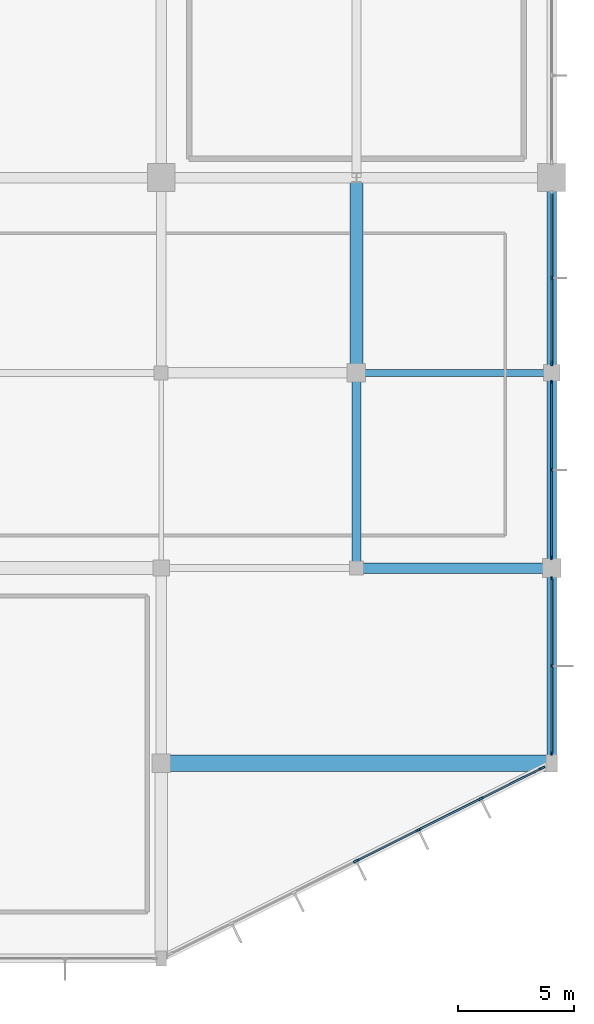
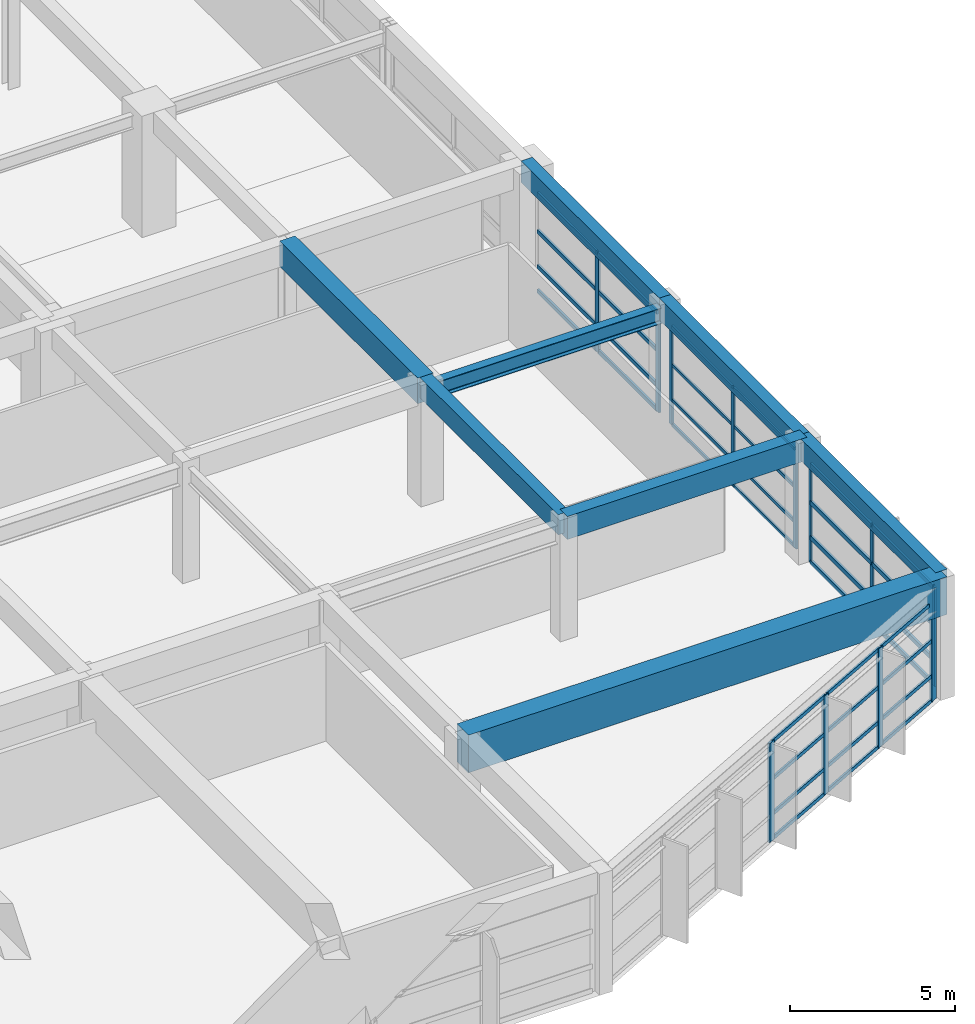
# One storey, part 35 of 65: 48 members, 8 beams, 4 elements without a shape of their own.
"""IFC4 building model written with IfcOpenShell, lengths in metres."""

from ifc_helpers import new_model, si_unit, direction, frame, origin, origin_2d, place, context, subcontext, project, spatial, rectangle, i_section, extrude, material, material_profile, profile_set, type_object, element, aggregate, save


model = new_model("IFC4")

# Units and contexts
model_context = context("Model", 3, precision=1e-05, world=origin(), true_north=direction((0.0, 1.0)))
body_context = subcontext(model_context, "Body", "Model", "MODEL_VIEW")
ifc_project = project(units=[si_unit("LENGTHUNIT", "METRE"), si_unit("AREAUNIT", "SQUARE_METRE"), si_unit("VOLUMEUNIT", "CUBIC_METRE"), si_unit("PLANEANGLEUNIT", "RADIAN"), si_unit("MASSUNIT", "GRAM", prefix="KILO")], contexts=[model_context])

# Site, building, storey
site_placement = place(None, origin())
site = spatial("IfcSite", under=ifc_project, at=site_placement, CompositionType="ELEMENT")
building_placement = place(site_placement, origin())
building = spatial("IfcBuilding", under=site, at=building_placement, Name="Xuanlan Plaza Opera House", CompositionType="ELEMENT")
storey_placement = place(building_placement, frame((0.0, 0.0, 5.39990234375)))
storey = spatial("IfcBuildingStorey", under=building, at=storey_placement, Name="L01", CompositionType="ELEMENT", Elevation=5.39990234375)

# Curtain wall, members
ifc_material_1 = material(Name="Anodised Aluminium 6063-T6 and Low-E Glass", Category="aluminium")
curtain_wall_type_1 = type_object("IfcCurtainWallType", Name="ENV-CW-CW-01", PredefinedType="USERDEFINED", material=ifc_material_1)
curtain_wall_1_placement = place(storey_placement, origin())
curtain_wall_1 = element("IfcCurtainWall", 1, at=curtain_wall_1_placement, inside=storey, type_object=curtain_wall_type_1, Name="Unitised Curtain Wall L01-018", ObjectType="UNITISED CURTAIN WALL", PredefinedType="USERDEFINED")
ifc_material_2 = material(Name="Anodised Aluminium 6063-T6", Category="aluminium")
ifc_material_profile_1 = material_profile(ifc_material_2, rectangle(XDim=0.06494140625, YDim=0.159912109375, at=origin_2d()), Name="ALU-M 65x160")
ifc_profile_set_1 = profile_set([ifc_material_profile_1], Name="Anodised Aluminium 6063-T6")
member_type_1 = type_object("IfcMemberType", Name="ENV-CWM-01", PredefinedType="MULLION", material=ifc_profile_set_1)
member_1_placement = place(storey_placement, frame((168.0, 8.827392578125, 0.0), z_axis=(0.0, 0.0, 1.0), x_axis=(-1.0, 0.0, 0.0)))
member_1 = element("IfcMember", 2, at=member_1_placement, type_object=member_type_1, Name="CW-01 mullion 1", PredefinedType="MULLION", context=body_context, shape_type="SweptSolid", body=[
    extrude(rectangle(XDim=0.06494140625, YDim=0.159912109375, at=origin_2d()), origin(), (0.0, 0.0, 1.0), 3.68017578125),
])
member_2_placement = place(storey_placement, frame((168.0, 12.58740234375, 0.0), z_axis=(0.0, 0.0, 1.0), x_axis=(-1.0, 0.0, 0.0)))
member_2 = element("IfcMember", 3, at=member_2_placement, type_object=member_type_1, Name="CW-01 mullion 2", PredefinedType="MULLION", context=body_context, shape_type="SweptSolid", body=[
    extrude(rectangle(XDim=0.06494140625, YDim=0.159912109375, at=origin_2d()), origin(), (0.0, 0.0, 1.0), 3.68017578125),
])
member_3_placement = place(storey_placement, frame((168.0, 16.347412109375, 0.0), z_axis=(0.0, 0.0, 1.0), x_axis=(-1.0, 0.0, 0.0)))
member_3 = element("IfcMember", 4, at=member_3_placement, type_object=member_type_1, Name="CW-01 mullion 3", PredefinedType="MULLION", context=body_context, shape_type="SweptSolid", body=[
    extrude(rectangle(XDim=0.06494140625, YDim=0.159912109375, at=origin_2d()), origin(), (0.0, 0.0, 1.0), 3.68017578125),
])

curtain_wall_type_2 = type_object("IfcCurtainWallType", Name="ENV-CW-CW-02", PredefinedType="USERDEFINED", material=ifc_material_1)
curtain_wall_2_placement = place(storey_placement, origin())
curtain_wall_2 = element("IfcCurtainWall", 5, at=curtain_wall_2_placement, inside=storey, type_object=curtain_wall_type_2, Name="Unitised Curtain Wall L01-019", ObjectType="UNITISED CURTAIN WALL", PredefinedType="USERDEFINED")
ifc_material_profile_2 = material_profile(ifc_material_2, rectangle(XDim=0.070068359375, YDim=0.179931640625, at=origin_2d()), Name="ALU-M 70x180")
ifc_profile_set_2 = profile_set([ifc_material_profile_2], Name="Anodised Aluminium 6063-T6")
member_type_2 = type_object("IfcMemberType", Name="ENV-CWM-02", PredefinedType="MULLION", material=ifc_profile_set_2)
member_4_placement = place(storey_placement, frame((168.0, 17.2548828125, 0.0), z_axis=(0.0, 0.0, 1.0), x_axis=(-1.0, 0.0, 0.0)))
member_4 = element("IfcMember", 6, at=member_4_placement, type_object=member_type_2, Name="CW-02 mullion 1", PredefinedType="MULLION", context=body_context, shape_type="SweptSolid", body=[
    extrude(rectangle(XDim=0.070068359375, YDim=0.179931640625, at=origin_2d()), origin(), (0.0, 0.0, 1.0), 3.68017578125),
])
member_5_placement = place(storey_placement, frame((168.0, 21.02490234375, 0.0), z_axis=(0.0, 0.0, 1.0), x_axis=(-1.0, 0.0, 0.0)))
member_5 = element("IfcMember", 7, at=member_5_placement, type_object=member_type_2, Name="CW-02 mullion 2", PredefinedType="MULLION", context=body_context, shape_type="SweptSolid", body=[
    extrude(rectangle(XDim=0.070068359375, YDim=0.179931640625, at=origin_2d()), origin(), (0.0, 0.0, 1.0), 3.68017578125),
])
member_6_placement = place(storey_placement, frame((168.0, 24.794921875, 0.0), z_axis=(0.0, 0.0, 1.0), x_axis=(-1.0, 0.0, 0.0)))
member_6 = element("IfcMember", 8, at=member_6_placement, type_object=member_type_2, Name="CW-02 mullion 3", PredefinedType="MULLION", context=body_context, shape_type="SweptSolid", body=[
    extrude(rectangle(XDim=0.070068359375, YDim=0.179931640625, at=origin_2d()), origin(), (0.0, 0.0, 1.0), 3.68017578125),
])

curtain_wall_type_3 = type_object("IfcCurtainWallType", Name="ENV-CW-CW-03", PredefinedType="USERDEFINED", material=ifc_material_1)
curtain_wall_3_placement = place(storey_placement, origin())
curtain_wall_3 = element("IfcCurtainWall", 9, at=curtain_wall_3_placement, inside=storey, type_object=curtain_wall_type_3, Name="Unitised Curtain Wall L01-020", ObjectType="UNITISED CURTAIN WALL", PredefinedType="USERDEFINED")
ifc_material_profile_3 = material_profile(ifc_material_2, rectangle(XDim=0.074951171875, YDim=0.199951171875, at=origin_2d()), Name="ALU-M 75x200")
ifc_profile_set_3 = profile_set([ifc_material_profile_3], Name="Anodised Aluminium 6063-T6")
member_type_3 = type_object("IfcMemberType", Name="ENV-CWM-03", PredefinedType="MULLION", material=ifc_profile_set_3)
member_7_placement = place(storey_placement, frame((168.0, 25.607421875, 0.0), z_axis=(0.0, 0.0, 1.0), x_axis=(-1.0, 0.0, 0.0)))
member_7 = element("IfcMember", 10, at=member_7_placement, type_object=member_type_3, Name="CW-03 mullion 1", PredefinedType="MULLION", context=body_context, shape_type="SweptSolid", body=[
    extrude(rectangle(XDim=0.074951171875, YDim=0.199951171875, at=origin_2d()), origin(), (0.0, 0.0, 1.0), 3.68017578125),
])
member_8_placement = place(storey_placement, frame((168.0, 29.27490234375, 0.0), z_axis=(0.0, 0.0, 1.0), x_axis=(-1.0, 0.0, 0.0)))
member_8 = element("IfcMember", 11, at=member_8_placement, type_object=member_type_3, Name="CW-03 mullion 2", PredefinedType="MULLION", context=body_context, shape_type="SweptSolid", body=[
    extrude(rectangle(XDim=0.074951171875, YDim=0.199951171875, at=origin_2d()), origin(), (0.0, 0.0, 1.0), 3.68017578125),
])

curtain_wall_type_4 = type_object("IfcCurtainWallType", Name="ENV-CW-CW-04", PredefinedType="USERDEFINED", material=ifc_material_1)
curtain_wall_4_placement = place(storey_placement, origin())
curtain_wall_4 = element("IfcCurtainWall", 12, at=curtain_wall_4_placement, inside=storey, type_object=curtain_wall_type_4, Name="Unitised Curtain Wall L01-017", ObjectType="UNITISED CURTAIN WALL", PredefinedType="USERDEFINED")
ifc_material_profile_4 = material_profile(ifc_material_2, rectangle(XDim=0.090087890625, YDim=0.25, at=origin_2d()), Name="ALU-M 90x250")
ifc_profile_set_4 = profile_set([ifc_material_profile_4], Name="Anodised Aluminium 6063-T6")
member_type_4 = type_object("IfcMemberType", Name="ENV-CWM-05", PredefinedType="MULLION", material=ifc_profile_set_4)
member_9_placement = place(storey_placement, frame((159.58740234375, 4.19384765625, 0.0), z_axis=(0.0, 0.0, 1.0), x_axis=(-0.447213595499, 0.894427191001, 0.0)))
member_9 = element("IfcMember", 13, at=member_9_placement, type_object=member_type_4, Name="CW-04 mullion 4", PredefinedType="MULLION", context=body_context, shape_type="SweptSolid", body=[
    extrude(rectangle(XDim=0.090087890625, YDim=0.25, at=origin_2d()), origin(), (0.0, 0.0, 1.0), 3.68017578125),
])
member_10_placement = place(storey_placement, frame((162.2666015625, 5.533203125, 0.0), z_axis=(0.0, 0.0, 1.0), x_axis=(-0.447213595499, 0.894427191001, 0.0)))
member_10 = element("IfcMember", 14, at=member_10_placement, type_object=member_type_4, Name="CW-04 mullion 5", PredefinedType="MULLION", context=body_context, shape_type="SweptSolid", body=[
    extrude(rectangle(XDim=0.090087890625, YDim=0.25, at=origin_2d()), origin(), (0.0, 0.0, 1.0), 3.68017578125),
])
member_11_placement = place(storey_placement, frame((164.94580078125, 6.872802734375, 0.0), z_axis=(0.0, 0.0, 1.0), x_axis=(-0.447213595499, 0.894427191001, 0.0)))
member_11 = element("IfcMember", 15, at=member_11_placement, type_object=member_type_4, Name="CW-04 mullion 6", PredefinedType="MULLION", context=body_context, shape_type="SweptSolid", body=[
    extrude(rectangle(XDim=0.090087890625, YDim=0.25, at=origin_2d()), origin(), (0.0, 0.0, 1.0), 3.68017578125),
])
member_12_placement = place(storey_placement, frame((167.58447265625, 8.1923828125, 0.0), z_axis=(0.0, 0.0, 1.0), x_axis=(-0.447213595499, 0.894427191001, 0.0)))
member_12 = element("IfcMember", 16, at=member_12_placement, type_object=member_type_4, Name="CW-04 mullion 7", PredefinedType="MULLION", context=body_context, shape_type="SweptSolid", body=[
    extrude(rectangle(XDim=0.090087890625, YDim=0.25, at=origin_2d()), origin(), (0.0, 0.0, 1.0), 3.68017578125),
])

# Member
ifc_material_profile_5 = material_profile(ifc_material_2, rectangle(XDim=0.06494140625, YDim=0.1201171875, at=origin_2d()), Name="ALU-T 65x120")
ifc_profile_set_5 = profile_set([ifc_material_profile_5], Name="Anodised Aluminium 6063-T6")
member_type_5 = type_object("IfcMemberType", Name="ENV-CWT-01", PredefinedType="USERDEFINED", material=ifc_profile_set_5)
member_13_placement = place(storey_placement, frame((168.0, 17.2900390625, 0.03271484375), z_axis=(0.0, 1.0, 0.0), x_axis=(-1.0, 0.0, 0.0)))
member_13 = element("IfcMember", 17, at=member_13_placement, type_object=member_type_5, Name="CW-02 transom 1.1", ObjectType="TRANSOM", PredefinedType="USERDEFINED", context=body_context, shape_type="SweptSolid", body=[
    extrude(rectangle(XDim=0.06494140625, YDim=0.1201171875, at=origin_2d()), origin(), (0.0, 0.0, 1.0), 3.699951171875),
])

member_14_placement = place(storey_placement, frame((168.0, 17.2900390625, 0.9501953125), z_axis=(0.0, 1.0, 0.0), x_axis=(-1.0, 0.0, 0.0)))
member_14 = element("IfcMember", 18, at=member_14_placement, type_object=member_type_5, Name="CW-02 transom 1.2", ObjectType="TRANSOM", PredefinedType="USERDEFINED", context=body_context, shape_type="SweptSolid", body=[
    extrude(rectangle(XDim=0.06494140625, YDim=0.1201171875, at=origin_2d()), origin(), (0.0, 0.0, 1.0), 3.699951171875),
])

member_15_placement = place(storey_placement, frame((168.0, 17.2900390625, 2.25), z_axis=(0.0, 1.0, 0.0), x_axis=(-1.0, 0.0, 0.0)))
member_15 = element("IfcMember", 19, at=member_15_placement, type_object=member_type_5, Name="CW-02 transom 1.3", ObjectType="TRANSOM", PredefinedType="USERDEFINED", context=body_context, shape_type="SweptSolid", body=[
    extrude(rectangle(XDim=0.06494140625, YDim=0.1201171875, at=origin_2d()), origin(), (0.0, 0.0, 1.0), 3.699951171875),
])

member_16_placement = place(storey_placement, frame((168.0, 17.2900390625, 3.647705078125), z_axis=(0.0, 1.0, 0.0), x_axis=(-1.0, 0.0, 0.0)))
member_16 = element("IfcMember", 20, at=member_16_placement, type_object=member_type_5, Name="CW-02 transom 1.4", ObjectType="TRANSOM", PredefinedType="USERDEFINED", context=body_context, shape_type="SweptSolid", body=[
    extrude(rectangle(XDim=0.06494140625, YDim=0.1201171875, at=origin_2d()), origin(), (0.0, 0.0, 1.0), 3.699951171875),
])

member_17_placement = place(storey_placement, frame((168.0, 21.06005859375, 0.03271484375), z_axis=(0.0, 1.0, 0.0), x_axis=(-1.0, 0.0, 0.0)))
member_17 = element("IfcMember", 21, at=member_17_placement, type_object=member_type_5, Name="CW-02 transom 2.1", ObjectType="TRANSOM", PredefinedType="USERDEFINED", context=body_context, shape_type="SweptSolid", body=[
    extrude(rectangle(XDim=0.06494140625, YDim=0.1201171875, at=origin_2d()), origin(), (0.0, 0.0, 1.0), 3.699951171875),
])

member_18_placement = place(storey_placement, frame((168.0, 21.06005859375, 0.9501953125), z_axis=(0.0, 1.0, 0.0), x_axis=(-1.0, 0.0, 0.0)))
member_18 = element("IfcMember", 22, at=member_18_placement, type_object=member_type_5, Name="CW-02 transom 2.2", ObjectType="TRANSOM", PredefinedType="USERDEFINED", context=body_context, shape_type="SweptSolid", body=[
    extrude(rectangle(XDim=0.06494140625, YDim=0.1201171875, at=origin_2d()), origin(), (0.0, 0.0, 1.0), 3.699951171875),
])

member_19_placement = place(storey_placement, frame((168.0, 21.06005859375, 2.25), z_axis=(0.0, 1.0, 0.0), x_axis=(-1.0, 0.0, 0.0)))
member_19 = element("IfcMember", 23, at=member_19_placement, type_object=member_type_5, Name="CW-02 transom 2.3", ObjectType="TRANSOM", PredefinedType="USERDEFINED", context=body_context, shape_type="SweptSolid", body=[
    extrude(rectangle(XDim=0.06494140625, YDim=0.1201171875, at=origin_2d()), origin(), (0.0, 0.0, 1.0), 3.699951171875),
])

member_20_placement = place(storey_placement, frame((168.0, 21.06005859375, 3.647705078125), z_axis=(0.0, 1.0, 0.0), x_axis=(-1.0, 0.0, 0.0)))
member_20 = element("IfcMember", 24, at=member_20_placement, type_object=member_type_5, Name="CW-02 transom 2.4", ObjectType="TRANSOM", PredefinedType="USERDEFINED", context=body_context, shape_type="SweptSolid", body=[
    extrude(rectangle(XDim=0.06494140625, YDim=0.1201171875, at=origin_2d()), origin(), (0.0, 0.0, 1.0), 3.699951171875),
])

aggregate(curtain_wall_2, [member_4, member_5, member_6, member_13, member_14, member_15, member_16, member_17, member_18, member_19, member_20])

ifc_material_profile_6 = material_profile(ifc_material_2, rectangle(XDim=0.070068359375, YDim=0.135009765625, at=origin_2d()), Name="ALU-T 70x135")
ifc_profile_set_6 = profile_set([ifc_material_profile_6], Name="Anodised Aluminium 6063-T6")
member_type_6 = type_object("IfcMemberType", Name="ENV-CWT-02", PredefinedType="USERDEFINED", material=ifc_profile_set_6)
member_21_placement = place(storey_placement, frame((159.627685546875, 4.2138671875, 0.03515625), z_axis=(0.894427191, 0.4472135955, 0.0), x_axis=(-0.4472135955, 0.894427191, 0.0)))
member_21 = element("IfcMember", 25, at=member_21_placement, type_object=member_type_6, Name="CW-04 transom 4.1", ObjectType="TRANSOM", PredefinedType="USERDEFINED", context=body_context, shape_type="SweptSolid", body=[
    extrude(rectangle(XDim=0.070068359375, YDim=0.135009765625, at=origin_2d()), origin(), (0.0, 0.0, 1.0), 2.9052734375),
])

member_22_placement = place(storey_placement, frame((159.627685546875, 4.2138671875, 0.9501953125), z_axis=(0.894427191, 0.4472135955, 0.0), x_axis=(-0.4472135955, 0.894427191, 0.0)))
member_22 = element("IfcMember", 26, at=member_22_placement, type_object=member_type_6, Name="CW-04 transom 4.2", ObjectType="TRANSOM", PredefinedType="USERDEFINED", context=body_context, shape_type="SweptSolid", body=[
    extrude(rectangle(XDim=0.070068359375, YDim=0.135009765625, at=origin_2d()), origin(), (0.0, 0.0, 1.0), 2.9052734375),
])

member_23_placement = place(storey_placement, frame((159.627685546875, 4.2138671875, 2.25), z_axis=(0.894427191, 0.4472135955, 0.0), x_axis=(-0.4472135955, 0.894427191, 0.0)))
member_23 = element("IfcMember", 27, at=member_23_placement, type_object=member_type_6, Name="CW-04 transom 4.3", ObjectType="TRANSOM", PredefinedType="USERDEFINED", context=body_context, shape_type="SweptSolid", body=[
    extrude(rectangle(XDim=0.070068359375, YDim=0.135009765625, at=origin_2d()), origin(), (0.0, 0.0, 1.0), 2.9052734375),
])

member_24_placement = place(storey_placement, frame((159.627685546875, 4.2138671875, 3.64501953125), z_axis=(0.894427191, 0.4472135955, 0.0), x_axis=(-0.4472135955, 0.894427191, 0.0)))
member_24 = element("IfcMember", 28, at=member_24_placement, type_object=member_type_6, Name="CW-04 transom 4.4", ObjectType="TRANSOM", PredefinedType="USERDEFINED", context=body_context, shape_type="SweptSolid", body=[
    extrude(rectangle(XDim=0.070068359375, YDim=0.135009765625, at=origin_2d()), origin(), (0.0, 0.0, 1.0), 2.9052734375),
])

member_25_placement = place(storey_placement, frame((162.306884765625, 5.553466796875, 0.03515625), z_axis=(0.894427191, 0.4472135955, 0.0), x_axis=(-0.4472135955, 0.894427191, 0.0)))
member_25 = element("IfcMember", 29, at=member_25_placement, type_object=member_type_6, Name="CW-04 transom 5.1", ObjectType="TRANSOM", PredefinedType="USERDEFINED", context=body_context, shape_type="SweptSolid", body=[
    extrude(rectangle(XDim=0.070068359375, YDim=0.135009765625, at=origin_2d()), origin(), (0.0, 0.0, 1.0), 2.9052734375),
])

member_26_placement = place(storey_placement, frame((162.306884765625, 5.553466796875, 0.9501953125), z_axis=(0.894427191, 0.4472135955, 0.0), x_axis=(-0.4472135955, 0.894427191, 0.0)))
member_26 = element("IfcMember", 30, at=member_26_placement, type_object=member_type_6, Name="CW-04 transom 5.2", ObjectType="TRANSOM", PredefinedType="USERDEFINED", context=body_context, shape_type="SweptSolid", body=[
    extrude(rectangle(XDim=0.070068359375, YDim=0.135009765625, at=origin_2d()), origin(), (0.0, 0.0, 1.0), 2.9052734375),
])

member_27_placement = place(storey_placement, frame((162.306884765625, 5.553466796875, 2.25), z_axis=(0.894427191, 0.4472135955, 0.0), x_axis=(-0.4472135955, 0.894427191, 0.0)))
member_27 = element("IfcMember", 31, at=member_27_placement, type_object=member_type_6, Name="CW-04 transom 5.3", ObjectType="TRANSOM", PredefinedType="USERDEFINED", context=body_context, shape_type="SweptSolid", body=[
    extrude(rectangle(XDim=0.070068359375, YDim=0.135009765625, at=origin_2d()), origin(), (0.0, 0.0, 1.0), 2.9052734375),
])

member_28_placement = place(storey_placement, frame((162.306884765625, 5.553466796875, 3.64501953125), z_axis=(0.894427191, 0.4472135955, 0.0), x_axis=(-0.4472135955, 0.894427191, 0.0)))
member_28 = element("IfcMember", 32, at=member_28_placement, type_object=member_type_6, Name="CW-04 transom 5.4", ObjectType="TRANSOM", PredefinedType="USERDEFINED", context=body_context, shape_type="SweptSolid", body=[
    extrude(rectangle(XDim=0.070068359375, YDim=0.135009765625, at=origin_2d()), origin(), (0.0, 0.0, 1.0), 2.9052734375),
])

member_29_placement = place(storey_placement, frame((164.98583984375, 6.89306640625, 0.03515625), z_axis=(0.894444261524, 0.447179452822, 0.0), x_axis=(-0.447179452822, 0.894444261524, 0.0)))
member_29 = element("IfcMember", 33, at=member_29_placement, type_object=member_type_6, Name="CW-04 transom 6.1", ObjectType="TRANSOM", PredefinedType="USERDEFINED", context=body_context, shape_type="SweptSolid", body=[
    extrude(rectangle(XDim=0.070068359375, YDim=0.135009765625, at=origin_2d()), origin(), (0.0, 0.0, 1.0), 2.8603515625),
])

member_30_placement = place(storey_placement, frame((164.98583984375, 6.89306640625, 0.9501953125), z_axis=(0.894444261524, 0.447179452822, 0.0), x_axis=(-0.447179452822, 0.894444261524, 0.0)))
member_30 = element("IfcMember", 34, at=member_30_placement, type_object=member_type_6, Name="CW-04 transom 6.2", ObjectType="TRANSOM", PredefinedType="USERDEFINED", context=body_context, shape_type="SweptSolid", body=[
    extrude(rectangle(XDim=0.070068359375, YDim=0.135009765625, at=origin_2d()), origin(), (0.0, 0.0, 1.0), 2.8603515625),
])

member_31_placement = place(storey_placement, frame((164.98583984375, 6.89306640625, 2.25), z_axis=(0.894444261524, 0.447179452822, 0.0), x_axis=(-0.447179452822, 0.894444261524, 0.0)))
member_31 = element("IfcMember", 35, at=member_31_placement, type_object=member_type_6, Name="CW-04 transom 6.3", ObjectType="TRANSOM", PredefinedType="USERDEFINED", context=body_context, shape_type="SweptSolid", body=[
    extrude(rectangle(XDim=0.070068359375, YDim=0.135009765625, at=origin_2d()), origin(), (0.0, 0.0, 1.0), 2.8603515625),
])

member_32_placement = place(storey_placement, frame((164.98583984375, 6.89306640625, 3.64501953125), z_axis=(0.894444261524, 0.447179452822, 0.0), x_axis=(-0.447179452822, 0.894444261524, 0.0)))
member_32 = element("IfcMember", 36, at=member_32_placement, type_object=member_type_6, Name="CW-04 transom 6.4", ObjectType="TRANSOM", PredefinedType="USERDEFINED", context=body_context, shape_type="SweptSolid", body=[
    extrude(rectangle(XDim=0.070068359375, YDim=0.135009765625, at=origin_2d()), origin(), (0.0, 0.0, 1.0), 2.8603515625),
])

aggregate(curtain_wall_4, [member_9, member_10, member_11, member_12, member_21, member_22, member_23, member_24, member_25, member_26, member_27, member_28, member_29, member_30, member_31, member_32])

ifc_material_profile_7 = material_profile(ifc_material_2, rectangle(XDim=0.074951171875, YDim=0.14990234375, at=origin_2d()), Name="ALU-T 75x150")
ifc_profile_set_7 = profile_set([ifc_material_profile_7], Name="Anodised Aluminium 6063-T6")
member_type_7 = type_object("IfcMemberType", Name="ENV-CWT-03", PredefinedType="USERDEFINED", material=ifc_profile_set_7)
member_33_placement = place(storey_placement, frame((168.0, 25.64501953125, 0.03759765625), z_axis=(0.0, 1.0, 0.0), x_axis=(-1.0, 0.0, 0.0)))
member_33 = element("IfcMember", 37, at=member_33_placement, type_object=member_type_7, Name="CW-03 transom 1.1", ObjectType="TRANSOM", PredefinedType="USERDEFINED", context=body_context, shape_type="SweptSolid", body=[
    extrude(rectangle(XDim=0.074951171875, YDim=0.14990234375, at=origin_2d()), origin(), (0.0, 0.0, 1.0), 3.592529296875),
])

member_34_placement = place(storey_placement, frame((168.0, 25.64501953125, 0.9501953125), z_axis=(0.0, 1.0, 0.0), x_axis=(-1.0, 0.0, 0.0)))
member_34 = element("IfcMember", 38, at=member_34_placement, type_object=member_type_7, Name="CW-03 transom 1.2", ObjectType="TRANSOM", PredefinedType="USERDEFINED", context=body_context, shape_type="SweptSolid", body=[
    extrude(rectangle(XDim=0.074951171875, YDim=0.14990234375, at=origin_2d()), origin(), (0.0, 0.0, 1.0), 3.592529296875),
])

member_35_placement = place(storey_placement, frame((168.0, 25.64501953125, 2.25), z_axis=(0.0, 1.0, 0.0), x_axis=(-1.0, 0.0, 0.0)))
member_35 = element("IfcMember", 39, at=member_35_placement, type_object=member_type_7, Name="CW-03 transom 1.3", ObjectType="TRANSOM", PredefinedType="USERDEFINED", context=body_context, shape_type="SweptSolid", body=[
    extrude(rectangle(XDim=0.074951171875, YDim=0.14990234375, at=origin_2d()), origin(), (0.0, 0.0, 1.0), 3.592529296875),
])

member_36_placement = place(storey_placement, frame((168.0, 25.64501953125, 3.642578125), z_axis=(0.0, 1.0, 0.0), x_axis=(-1.0, 0.0, 0.0)))
member_36 = element("IfcMember", 40, at=member_36_placement, type_object=member_type_7, Name="CW-03 transom 1.4", ObjectType="TRANSOM", PredefinedType="USERDEFINED", context=body_context, shape_type="SweptSolid", body=[
    extrude(rectangle(XDim=0.074951171875, YDim=0.14990234375, at=origin_2d()), origin(), (0.0, 0.0, 1.0), 3.592529296875),
])

member_37_placement = place(storey_placement, frame((168.0, 29.3125, 0.03759765625), z_axis=(0.0, 1.0, 0.0), x_axis=(-1.0, 0.0, 0.0)))
member_37 = element("IfcMember", 41, at=member_37_placement, type_object=member_type_7, Name="CW-03 transom 2.1", ObjectType="TRANSOM", PredefinedType="USERDEFINED", context=body_context, shape_type="SweptSolid", body=[
    extrude(rectangle(XDim=0.074951171875, YDim=0.14990234375, at=origin_2d()), origin(), (0.0, 0.0, 1.0), 3.592529296875),
])

member_38_placement = place(storey_placement, frame((168.0, 29.3125, 0.9501953125), z_axis=(0.0, 1.0, 0.0), x_axis=(-1.0, 0.0, 0.0)))
member_38 = element("IfcMember", 42, at=member_38_placement, type_object=member_type_7, Name="CW-03 transom 2.2", ObjectType="TRANSOM", PredefinedType="USERDEFINED", context=body_context, shape_type="SweptSolid", body=[
    extrude(rectangle(XDim=0.074951171875, YDim=0.14990234375, at=origin_2d()), origin(), (0.0, 0.0, 1.0), 3.592529296875),
])

member_39_placement = place(storey_placement, frame((168.0, 29.3125, 2.25), z_axis=(0.0, 1.0, 0.0), x_axis=(-1.0, 0.0, 0.0)))
member_39 = element("IfcMember", 43, at=member_39_placement, type_object=member_type_7, Name="CW-03 transom 2.3", ObjectType="TRANSOM", PredefinedType="USERDEFINED", context=body_context, shape_type="SweptSolid", body=[
    extrude(rectangle(XDim=0.074951171875, YDim=0.14990234375, at=origin_2d()), origin(), (0.0, 0.0, 1.0), 3.592529296875),
])

member_40_placement = place(storey_placement, frame((168.0, 29.3125, 3.642578125), z_axis=(0.0, 1.0, 0.0), x_axis=(-1.0, 0.0, 0.0)))
member_40 = element("IfcMember", 44, at=member_40_placement, type_object=member_type_7, Name="CW-03 transom 2.4", ObjectType="TRANSOM", PredefinedType="USERDEFINED", context=body_context, shape_type="SweptSolid", body=[
    extrude(rectangle(XDim=0.074951171875, YDim=0.14990234375, at=origin_2d()), origin(), (0.0, 0.0, 1.0), 3.592529296875),
])

aggregate(curtain_wall_3, [member_7, member_8, member_33, member_34, member_35, member_36, member_37, member_38, member_39, member_40])

ifc_material_profile_8 = material_profile(ifc_material_2, rectangle(XDim=0.080078125, YDim=0.1650390625, at=origin_2d()), Name="ALU-T 80x165")
ifc_profile_set_8 = profile_set([ifc_material_profile_8], Name="Anodised Aluminium 6063-T6")
member_type_8 = type_object("IfcMemberType", Name="ENV-CWT-04", PredefinedType="USERDEFINED", material=ifc_profile_set_8)
member_41_placement = place(storey_placement, frame((168.0, 8.860107421875, 0.0400390625), z_axis=(0.0, 1.0, 0.0), x_axis=(-1.0, 0.0, 0.0)))
member_41 = element("IfcMember", 45, at=member_41_placement, type_object=member_type_8, Name="CW-01 transom 1.1", ObjectType="TRANSOM", PredefinedType="USERDEFINED", context=body_context, shape_type="SweptSolid", body=[
    extrude(rectangle(XDim=0.080078125, YDim=0.1650390625, at=origin_2d()), origin(), (0.0, 0.0, 1.0), 3.69482421875),
])

member_42_placement = place(storey_placement, frame((168.0, 8.860107421875, 0.9501953125), z_axis=(0.0, 1.0, 0.0), x_axis=(-1.0, 0.0, 0.0)))
member_42 = element("IfcMember", 46, at=member_42_placement, type_object=member_type_8, Name="CW-01 transom 1.2", ObjectType="TRANSOM", PredefinedType="USERDEFINED", context=body_context, shape_type="SweptSolid", body=[
    extrude(rectangle(XDim=0.080078125, YDim=0.1650390625, at=origin_2d()), origin(), (0.0, 0.0, 1.0), 3.69482421875),
])

member_43_placement = place(storey_placement, frame((168.0, 8.860107421875, 2.25), z_axis=(0.0, 1.0, 0.0), x_axis=(-1.0, 0.0, 0.0)))
member_43 = element("IfcMember", 47, at=member_43_placement, type_object=member_type_8, Name="CW-01 transom 1.3", ObjectType="TRANSOM", PredefinedType="USERDEFINED", context=body_context, shape_type="SweptSolid", body=[
    extrude(rectangle(XDim=0.080078125, YDim=0.1650390625, at=origin_2d()), origin(), (0.0, 0.0, 1.0), 3.69482421875),
])

member_44_placement = place(storey_placement, frame((168.0, 8.860107421875, 3.64013671875), z_axis=(0.0, 1.0, 0.0), x_axis=(-1.0, 0.0, 0.0)))
member_44 = element("IfcMember", 48, at=member_44_placement, type_object=member_type_8, Name="CW-01 transom 1.4", ObjectType="TRANSOM", PredefinedType="USERDEFINED", context=body_context, shape_type="SweptSolid", body=[
    extrude(rectangle(XDim=0.080078125, YDim=0.1650390625, at=origin_2d()), origin(), (0.0, 0.0, 1.0), 3.69482421875),
])

member_45_placement = place(storey_placement, frame((168.0, 12.6201171875, 0.0400390625), z_axis=(0.0, 1.0, 0.0), x_axis=(-1.0, 0.0, 0.0)))
member_45 = element("IfcMember", 49, at=member_45_placement, type_object=member_type_8, Name="CW-01 transom 2.1", ObjectType="TRANSOM", PredefinedType="USERDEFINED", context=body_context, shape_type="SweptSolid", body=[
    extrude(rectangle(XDim=0.080078125, YDim=0.1650390625, at=origin_2d()), origin(), (0.0, 0.0, 1.0), 3.69482421875),
])

member_46_placement = place(storey_placement, frame((168.0, 12.6201171875, 0.9501953125), z_axis=(0.0, 1.0, 0.0), x_axis=(-1.0, 0.0, 0.0)))
member_46 = element("IfcMember", 50, at=member_46_placement, type_object=member_type_8, Name="CW-01 transom 2.2", ObjectType="TRANSOM", PredefinedType="USERDEFINED", context=body_context, shape_type="SweptSolid", body=[
    extrude(rectangle(XDim=0.080078125, YDim=0.1650390625, at=origin_2d()), origin(), (0.0, 0.0, 1.0), 3.69482421875),
])

member_47_placement = place(storey_placement, frame((168.0, 12.6201171875, 2.25), z_axis=(0.0, 1.0, 0.0), x_axis=(-1.0, 0.0, 0.0)))
member_47 = element("IfcMember", 51, at=member_47_placement, type_object=member_type_8, Name="CW-01 transom 2.3", ObjectType="TRANSOM", PredefinedType="USERDEFINED", context=body_context, shape_type="SweptSolid", body=[
    extrude(rectangle(XDim=0.080078125, YDim=0.1650390625, at=origin_2d()), origin(), (0.0, 0.0, 1.0), 3.69482421875),
])

member_48_placement = place(storey_placement, frame((168.0, 12.6201171875, 3.64013671875), z_axis=(0.0, 1.0, 0.0), x_axis=(-1.0, 0.0, 0.0)))
member_48 = element("IfcMember", 52, at=member_48_placement, type_object=member_type_8, Name="CW-01 transom 2.4", ObjectType="TRANSOM", PredefinedType="USERDEFINED", context=body_context, shape_type="SweptSolid", body=[
    extrude(rectangle(XDim=0.080078125, YDim=0.1650390625, at=origin_2d()), origin(), (0.0, 0.0, 1.0), 3.69482421875),
])

aggregate(curtain_wall_1, [member_1, member_2, member_3, member_41, member_42, member_43, member_44, member_45, member_46, member_47, member_48])

# Beams
ifc_material_3 = material(Name="Concrete C50", Category="concrete")
ifc_material_profile_9 = material_profile(ifc_material_3, rectangle(XDim=0.550048828125, YDim=0.949951171875, at=origin_2d()), Name="RC-BM 550x950")
ifc_profile_set_9 = profile_set([ifc_material_profile_9], Name="Concrete C50")
beam_type_1 = type_object("IfcBeamType", Name="STR-BM-B-02", PredefinedType="BEAM", material=ifc_profile_set_9)
beam_1_placement = place(storey_placement, frame((159.60009765625, 25.199951171875, 4.025146484375), z_axis=(0.0, 1.0, 0.0), x_axis=(-1.0, 0.0, 0.0)))
element("IfcBeam", 53, at=beam_1_placement, inside=storey, type_object=beam_type_1, Name="Grid Beam Y L01 20/D-E", PredefinedType="BEAM", context=body_context, shape_type="SweptSolid", body=[
    extrude(rectangle(XDim=0.550048828125, YDim=0.949951171875, at=origin_2d()), origin(), (0.0, 0.0, 1.0), 8.400146484375),
])
ifc_material_4 = material(Name="Concrete C40", Category="concrete")
ifc_material_profile_10 = material_profile(ifc_material_4, rectangle(XDim=0.449951171875, YDim=0.85009765625, at=origin_2d()), Name="RC-BM 450x850")
ifc_profile_set_10 = profile_set([ifc_material_profile_10], Name="Concrete C40")
beam_type_2 = type_object("IfcBeamType", Name="STR-BM-B-04", PredefinedType="BEAM", material=ifc_profile_set_10)
beam_2_placement = place(storey_placement, frame((159.60009765625, 16.800048828125, 4.0751953125), z_axis=(1.0, 0.0, 0.0), x_axis=(0.0, 1.0, 0.0)))
element("IfcBeam", 54, at=beam_2_placement, inside=storey, type_object=beam_type_2, Name="Grid Beam X L01 20-21/C", PredefinedType="BEAM", context=body_context, shape_type="SweptSolid", body=[
    extrude(rectangle(XDim=0.449951171875, YDim=0.85009765625, at=origin_2d()), origin(), (0.0, 0.0, 1.0), 8.39990234375),
])
ifc_material_profile_11 = material_profile(ifc_material_4, rectangle(XDim=0.39990234375, YDim=0.75, at=origin_2d()), Name="RC-BM 400x750")
ifc_profile_set_11 = profile_set([ifc_material_profile_11], Name="Concrete C40")
beam_type_3 = type_object("IfcBeamType", Name="STR-BM-B-06", PredefinedType="BEAM", material=ifc_profile_set_11)
beam_3_placement = place(storey_placement, frame((159.60009765625, 16.800048828125, 4.125), z_axis=(0.0, 1.0, 0.0), x_axis=(-1.0, 0.0, 0.0)))
element("IfcBeam", 55, at=beam_3_placement, inside=storey, type_object=beam_type_3, Name="Grid Beam Y L01 20/C-D", PredefinedType="BEAM", context=body_context, shape_type="SweptSolid", body=[
    extrude(rectangle(XDim=0.39990234375, YDim=0.75, at=origin_2d()), origin(), (0.0, 0.0, 1.0), 8.39990234375),
])
ifc_material_profile_12 = material_profile(ifc_material_3, rectangle(XDim=0.699951171875, YDim=1.39990234375, at=origin_2d()), Name="RC-LG 700x1400")
ifc_profile_set_12 = profile_set([ifc_material_profile_12], Name="Concrete C50")
beam_type_4 = type_object("IfcBeamType", Name="STR-BM-LG-01", PredefinedType="BEAM", material=ifc_profile_set_12)
beam_4_placement = place(storey_placement, frame((151.199951171875, 8.39990234375, 3.800048828125), z_axis=(1.0, 0.0, 0.0), x_axis=(0.0, 1.0, 0.0)))
element("IfcBeam", 56, at=beam_4_placement, inside=storey, type_object=beam_type_4, Name="Grid Beam X L01 19-21/B", PredefinedType="BEAM", context=body_context, shape_type="SweptSolid", body=[
    extrude(rectangle(XDim=0.699951171875, YDim=1.39990234375, at=origin_2d()), origin(), (0.0, 0.0, 1.0), 16.800048828125),
])
ifc_material_5 = material(Name="Steel Q355B", Category="steel")
ifc_material_profile_13 = material_profile(ifc_material_5, i_section(OverallWidth=0.300048828125, OverallDepth=0.587890625, WebThickness=0.011962890625, FlangeThickness=0.02001953125, FilletRadius=0.02392578125, at=origin_2d()), Name="HM 588x300x12x20")
ifc_profile_set_13 = profile_set([ifc_material_profile_13], Name="Steel Q355B")
beam_type_5 = type_object("IfcBeamType", Name="STR-BM-SB-06", PredefinedType="BEAM", material=ifc_profile_set_13)
beam_5_placement = place(storey_placement, frame((159.60009765625, 25.199951171875, 3.941162109375), z_axis=(1.0, 0.0, 0.0), x_axis=(0.0, 1.0, 0.0)))
element("IfcBeam", 57, at=beam_5_placement, inside=storey, type_object=beam_type_5, Name="Grid Beam X L01 20-21/D", PredefinedType="BEAM", context=body_context, shape_type="SweptSolid", body=[
    extrude(i_section(OverallWidth=0.300048828125, OverallDepth=0.587890625, WebThickness=0.011962890625, FlangeThickness=0.02001953125, FilletRadius=0.02392578125, at=origin_2d()), origin(), (0.0, 0.0, 1.0), 8.39990234375),
])
ifc_material_profile_14 = material_profile(ifc_material_4, rectangle(XDim=0.39990234375, YDim=0.800048828125, at=origin_2d()), Name="RC-SPD 400x800")
ifc_profile_set_14 = profile_set([ifc_material_profile_14], Name="Concrete C40")
beam_type_6 = type_object("IfcBeamType", Name="STR-BM-SP-01", PredefinedType="SPANDREL", material=ifc_profile_set_14)
beam_6_placement = place(storey_placement, frame((168.0, 8.39990234375, 4.10009765625), z_axis=(0.0, 1.0, 0.0), x_axis=(-1.0, 0.0, 0.0)))
element("IfcBeam", 58, at=beam_6_placement, inside=storey, type_object=beam_type_6, Name="Grid Beam Y L01 21/B-C", PredefinedType="SPANDREL", context=body_context, shape_type="SweptSolid", body=[
    extrude(rectangle(XDim=0.39990234375, YDim=0.800048828125, at=origin_2d()), origin(), (0.0, 0.0, 1.0), 8.400146484375),
])
beam_7_placement = place(storey_placement, frame((168.0, 16.800048828125, 4.10009765625), z_axis=(0.0, 1.0, 0.0), x_axis=(-1.0, 0.0, 0.0)))
element("IfcBeam", 59, at=beam_7_placement, inside=storey, type_object=beam_type_6, Name="Grid Beam Y L01 21/C-D", PredefinedType="SPANDREL", context=body_context, shape_type="SweptSolid", body=[
    extrude(rectangle(XDim=0.39990234375, YDim=0.800048828125, at=origin_2d()), origin(), (0.0, 0.0, 1.0), 8.39990234375),
])
beam_8_placement = place(storey_placement, frame((168.0, 25.199951171875, 4.10009765625), z_axis=(0.0, 1.0, 0.0), x_axis=(-1.0, 0.0, 0.0)))
element("IfcBeam", 60, at=beam_8_placement, inside=storey, type_object=beam_type_6, Name="Grid Beam Y L01 21/D-E", PredefinedType="SPANDREL", context=body_context, shape_type="SweptSolid", body=[
    extrude(rectangle(XDim=0.39990234375, YDim=0.800048828125, at=origin_2d()), origin(), (0.0, 0.0, 1.0), 8.400146484375),
])

save(model, "model.ifc")
